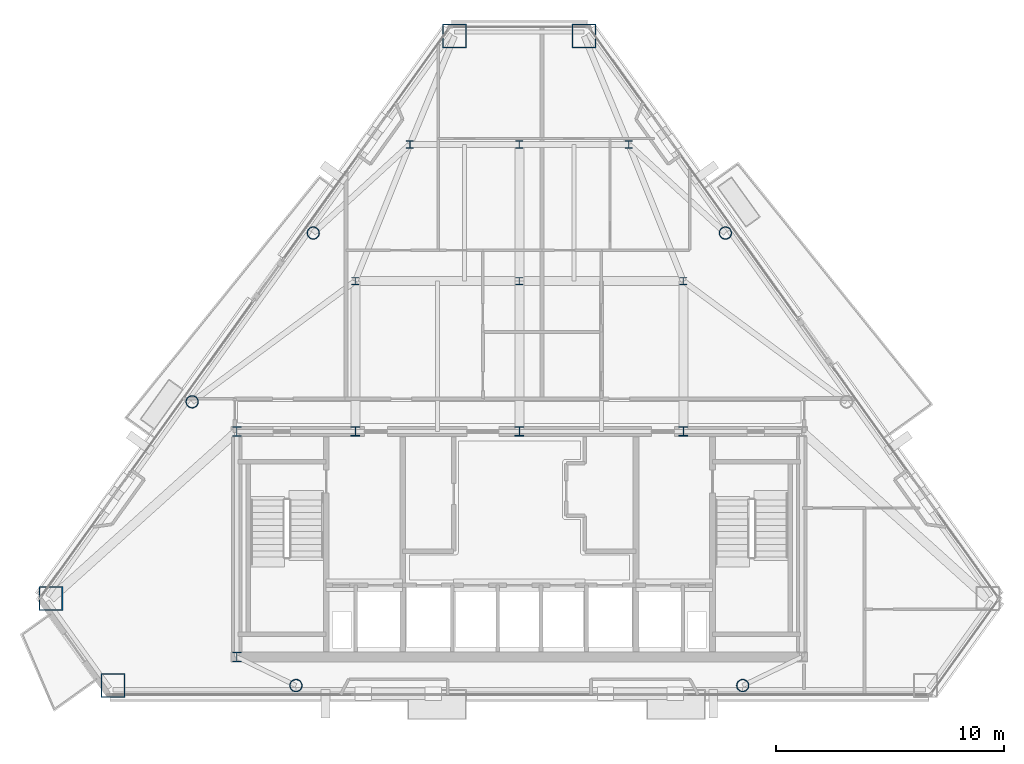
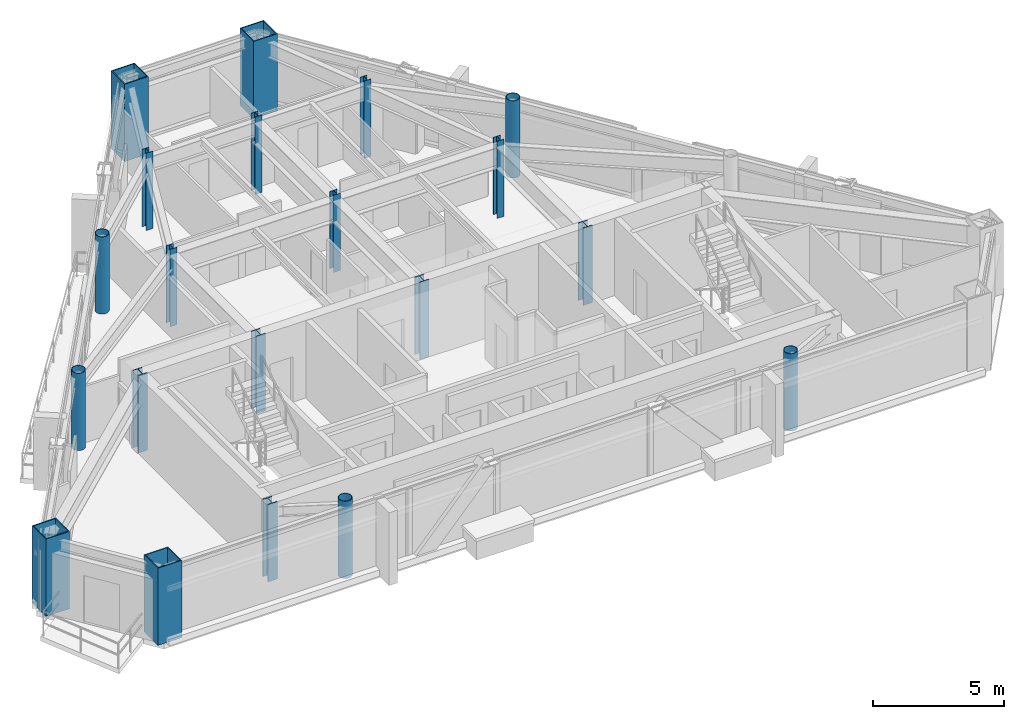
# One storey, part 1 of 11: 20 columns.
"""IFC4 building model written with IfcOpenShell, lengths in metres."""

from ifc_helpers import new_model, si_unit, direction, frame, origin, origin_2d, place, context, subcontext, project, spatial, hollow_rectangle, hollow_circle, i_section, extrude, material, material_profile, profile_set, type_object, element, save


model = new_model("IFC4")

# Units and contexts
model_context = context("Model", 3, precision=1e-05, world=origin(), true_north=direction((0.0, 1.0)))
body_context = subcontext(model_context, "Body", "Model", "MODEL_VIEW")
ifc_project = project(units=[si_unit("LENGTHUNIT", "METRE"), si_unit("AREAUNIT", "SQUARE_METRE"), si_unit("VOLUMEUNIT", "CUBIC_METRE"), si_unit("PLANEANGLEUNIT", "RADIAN"), si_unit("MASSUNIT", "GRAM", prefix="KILO")], contexts=[model_context])

# Site, building, storey
site_placement = place(None, origin())
site = spatial("IfcSite", under=ifc_project, at=site_placement, CompositionType="ELEMENT")
building_placement = place(site_placement, origin())
building = spatial("IfcBuilding", under=site, at=building_placement, Name="Talgorran Terracotta Tower", CompositionType="ELEMENT")
storey_placement = place(building_placement, frame((0.0, 0.0, 218.10009765625)))
storey = spatial("IfcBuildingStorey", under=building, at=storey_placement, Name="L57", CompositionType="ELEMENT", Elevation=218.10009765625)

# Columns
ifc_material_1 = material(Name="Steel S355 (300PLUS)", Category="steel")
ifc_material_profile_1 = material_profile(ifc_material_1, i_section(OverallWidth=0.306884765625, OverallDepth=0.314453125, WebThickness=0.011962890625, FlangeThickness=0.018798828125, at=origin_2d()), Name="310UC118")
ifc_profile_set_1 = profile_set([ifc_material_profile_1], Name="Steel S355 (300PLUS)")
column_type_1 = type_object("IfcColumnType", Name="COL_310UC118", PredefinedType="COLUMN", material=ifc_profile_set_1)
for number, where, z_axis, x_axis, name in (
    (1, (-7.199951171875, 2.39990234375, 0.0), (0.0, 0.0, 1.0), (1.0, 0.0, 0.0), "L57 Interior Gravity Column IC1"),
    (2, (0.0, 2.39990234375, 0.0), (0.0, 0.0, 1.0), (1.0, 0.0, 0.0), "L57 Interior Gravity Column IC2"),
    (3, (7.199951171875, 2.39990234375, 0.0), (0.0, 0.0, 1.0), (1.0, 0.0, 0.0), "L57 Interior Gravity Column IC3"),
    (4, (-4.800048828125, 8.39990234375, 0.0), (0.0, 0.0, 1.0), (1.0, 0.0, 0.0), "L57 Interior Gravity Column IC4"),
    (5, (0.0, 8.39990234375, 0.0), (0.0, 0.0, 1.0), (1.0, 0.0, 0.0), "L57 Interior Gravity Column IC5"),
    (6, (4.800048828125, 8.39990234375, 0.0), (0.0, 0.0, 1.0), (1.0, 0.0, 0.0), "L57 Interior Gravity Column IC6"),
):
    element("IfcColumn", number, at=place(storey_placement, frame(where, z_axis=z_axis, x_axis=x_axis)), inside=storey, type_object=column_type_1, Name=name, PredefinedType="COLUMN", context=body_context, shape_type="SweptSolid", body=[
        extrude(i_section(OverallWidth=0.306884765625, OverallDepth=0.314453125, WebThickness=0.011962890625, FlangeThickness=0.018798828125, at=origin_2d()), origin(), (0.0, 0.0, 1.0), 3.599853515625),
    ])
ifc_material_profile_2 = material_profile(ifc_material_1, i_section(OverallWidth=0.39990234375, OverallDepth=0.43994140625, WebThickness=0.028076171875, FlangeThickness=0.0400390625, at=origin_2d()), Name="400WC328")
ifc_profile_set_2 = profile_set([ifc_material_profile_2], Name="Steel S355 (300PLUS)")
column_type_2 = type_object("IfcColumnType", Name="COL_400WC328", PredefinedType="COLUMN", material=ifc_profile_set_2)
for number, where, z_axis, x_axis, name in (
    (7, (-12.39990234375, -14.10009765625, 0.0), (0.0, 0.0, 1.0), (1.0, 0.0, 0.0), "L57 Core Boundary Column CC1"),
    (8, (-12.39990234375, -4.199951171875, 0.0), (0.0, 0.0, 1.0), (1.0, 0.0, 0.0), "L57 Core Boundary Column CC4"),
):
    element("IfcColumn", number, at=place(storey_placement, frame(where, z_axis=z_axis, x_axis=x_axis)), inside=storey, type_object=column_type_2, Name=name, PredefinedType="COLUMN", context=body_context, shape_type="SweptSolid", body=[
        extrude(i_section(OverallWidth=0.39990234375, OverallDepth=0.43994140625, WebThickness=0.028076171875, FlangeThickness=0.0400390625, at=origin_2d()), origin(), (0.0, 0.0, 1.0), 3.599853515625),
    ])
ifc_material_2 = material(Name="Steel Grade 350 (350L0)", Category="steel")
ifc_material_profile_3 = material_profile(ifc_material_2, hollow_rectangle(XDim=1.050048828125, YDim=1.050048828125, WallThickness=0.044921875, at=origin_2d()), Name="CFT1050X1050X45")
ifc_profile_set_3 = profile_set([ifc_material_profile_3], Name="Steel Grade 350 (350L0)")
column_type_3 = type_object("IfcColumnType", Name="COL_CFT_1050", PredefinedType="COLUMN", material=ifc_profile_set_3)
for number, where, z_axis, x_axis, name in (
    (9, (-20.566650390625, -11.53955078125, 0.0), (0.0, 0.0, 1.0), (1.0, 0.0, 0.0), "L57 Corner CFT Mega-Column MC1"),
    (10, (-17.830078125, -15.352294921875, 0.0), (0.0, 0.0, 1.0), (1.0, 0.0, 0.0), "L57 Corner CFT Mega-Column MC2"),
    (11, (2.843017578125, 13.153076171875, 0.0), (0.0, 0.0, 1.0), (1.0, 0.0, 0.0), "L57 Corner CFT Mega-Column MC5"),
    (12, (-2.843017578125, 13.153076171875, 0.0), (0.0, 0.0, 1.0), (1.0, 0.0, 0.0), "L57 Corner CFT Mega-Column MC6"),
):
    element("IfcColumn", number, at=place(storey_placement, frame(where, z_axis=z_axis, x_axis=x_axis)), inside=storey, type_object=column_type_3, Name=name, PredefinedType="COLUMN", context=body_context, shape_type="SweptSolid", body=[
        extrude(hollow_rectangle(XDim=1.050048828125, YDim=1.050048828125, WallThickness=0.044921875, at=origin_2d()), origin(), (0.0, 0.0, 1.0), 3.599853515625),
    ])
ifc_material_profile_4 = material_profile(ifc_material_2, hollow_circle(Radius=0.27490234375, WallThickness=0.02392578125, at=origin_2d()), Name="CHS550X24")
ifc_profile_set_4 = profile_set([ifc_material_profile_4], Name="Steel Grade 350 (350L0)")
column_type_4 = type_object("IfcColumnType", Name="COL_CHS_550", PredefinedType="COLUMN", material=ifc_profile_set_4)
for number, where, z_axis, x_axis, name in (
    (13, (-9.806640625, -15.352294921875, 0.0), (0.0, 0.0, 1.0), (1.0, 0.0, 0.0), "L57 Facet Perimeter Column FC1"),
    (14, (9.806640625, -15.352294921875, 0.0), (0.0, 0.0, 1.0), (1.0, 0.0, 0.0), "L57 Facet Perimeter Column FC2"),
    (15, (9.04638671875, 4.510498046875, 0.0), (0.0, 0.0, 1.0), (1.0, 0.0, 0.0), "L57 Facet Perimeter Column FC4"),
    (16, (-9.04638671875, 4.510498046875, 0.0), (0.0, 0.0, 1.0), (1.0, 0.0, 0.0), "L57 Facet Perimeter Column FC5"),
    (17, (-14.36328125, -2.897216796875, 0.0), (0.0, 0.0, 1.0), (1.0, 0.0, 0.0), "L57 Facet Perimeter Column FC6"),
):
    element("IfcColumn", number, at=place(storey_placement, frame(where, z_axis=z_axis, x_axis=x_axis)), inside=storey, type_object=column_type_4, Name=name, PredefinedType="COLUMN", context=body_context, shape_type="SweptSolid", body=[
        extrude(hollow_circle(Radius=0.27490234375, WallThickness=0.02392578125, at=origin_2d()), origin(), (0.0, 0.0, 1.0), 3.599853515625),
    ])
ifc_material_profile_5 = material_profile(ifc_material_1, i_section(OverallWidth=0.405029296875, OverallDepth=0.4140625, WebThickness=0.02197265625, FlangeThickness=0.031982421875, at=origin_2d()), Name="400WC270")
ifc_profile_set_5 = profile_set([ifc_material_profile_5], Name="Steel S355 (300PLUS)")
column_type_5 = type_object("IfcColumnType", Name="COL_PIL_400WC270", PredefinedType="PILASTER", material=ifc_profile_set_5)
for number, where, z_axis, x_axis, name in (
    (18, (-7.199951171875, -4.199951171875, 0.0), (0.0, 0.0, 1.0), (1.0, 0.0, 0.0), "L57 Core Shear Pilaster CP1"),
    (19, (0.0, -4.199951171875, 0.0), (0.0, 0.0, 1.0), (1.0, 0.0, 0.0), "L57 Core Shear Pilaster CP2"),
    (20, (7.199951171875, -4.199951171875, 0.0), (0.0, 0.0, 1.0), (1.0, 0.0, 0.0), "L57 Core Shear Pilaster CP3"),
):
    element("IfcColumn", number, at=place(storey_placement, frame(where, z_axis=z_axis, x_axis=x_axis)), inside=storey, type_object=column_type_5, Name=name, PredefinedType="PILASTER", context=body_context, shape_type="SweptSolid", body=[
        extrude(i_section(OverallWidth=0.405029296875, OverallDepth=0.4140625, WebThickness=0.02197265625, FlangeThickness=0.031982421875, at=origin_2d()), origin(), (0.0, 0.0, 1.0), 3.599853515625),
    ])

save(model, "model.ifc")
